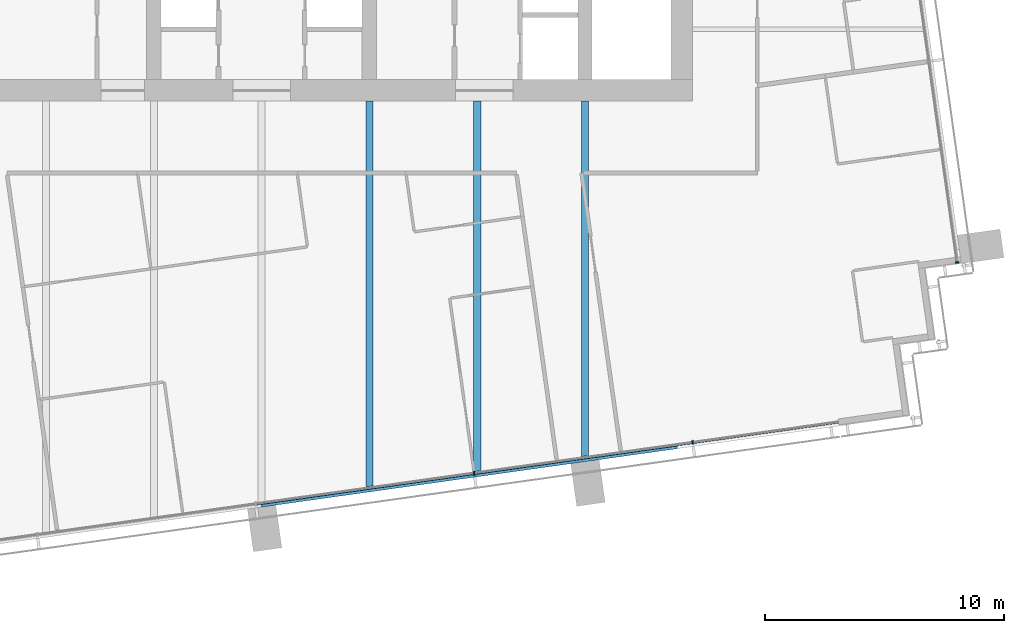
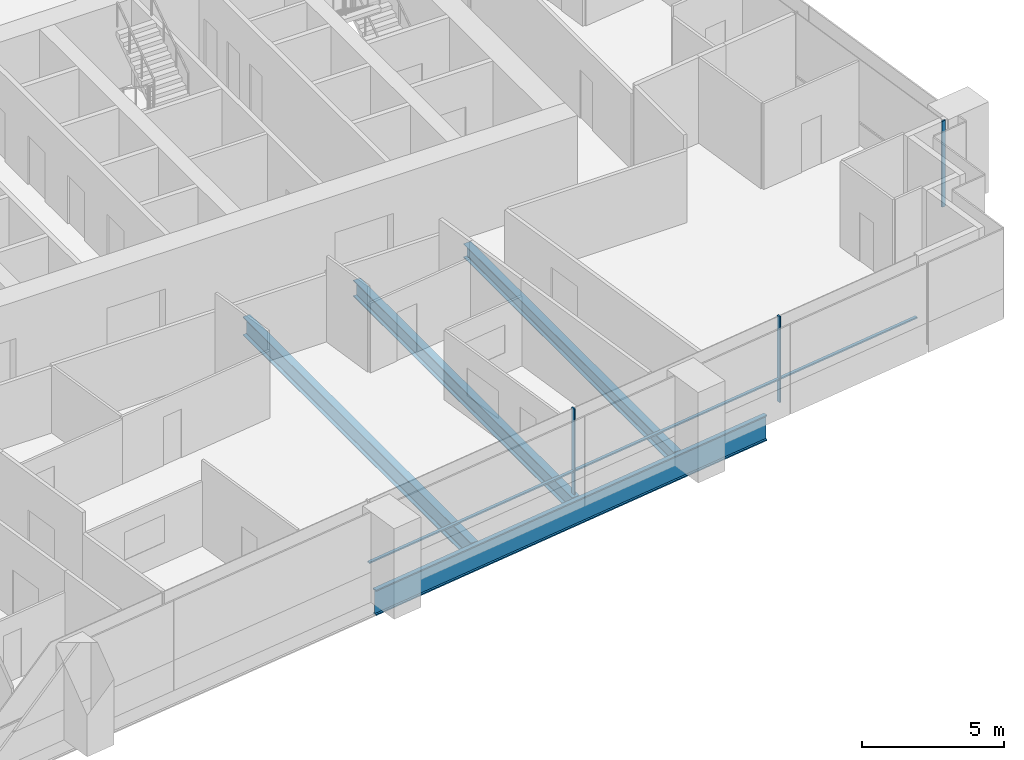
# One storey, part 4 of 18: 6 members, 4 beams, 2 elements without a shape of their own.
"""IFC4 building model written with IfcOpenShell, lengths in metres."""

from ifc_helpers import new_model, si_unit, direction, frame, origin, origin_2d, place, context, subcontext, project, spatial, rectangle, i_section, extrude, material, material_profile, profile_set, type_object, element, aggregate, save


model = new_model("IFC4")

# Units and contexts
model_context = context("Model", 3, precision=1e-05, world=origin(), true_north=direction((0.0, 1.0)))
body_context = subcontext(model_context, "Body", "Model", "MODEL_VIEW")
ifc_project = project(units=[si_unit("LENGTHUNIT", "METRE"), si_unit("AREAUNIT", "SQUARE_METRE"), si_unit("VOLUMEUNIT", "CUBIC_METRE"), si_unit("PLANEANGLEUNIT", "RADIAN"), si_unit("MASSUNIT", "GRAM", prefix="KILO")], contexts=[model_context])

# Site, building, storey
site_placement = place(None, origin())
site = spatial("IfcSite", under=ifc_project, at=site_placement, CompositionType="ELEMENT")
building_placement = place(site_placement, origin())
building = spatial("IfcBuilding", under=site, at=building_placement, Name="Rattan Terrace Tower", CompositionType="ELEMENT")
storey_placement = place(building_placement, frame((0.0, 0.0, 188.0)))
storey = spatial("IfcBuildingStorey", under=building, at=storey_placement, Name="L43", CompositionType="ELEMENT", Elevation=188.0)

# Curtain wall, member
ifc_material_1 = material(Name="Aluminium and glass", Category="aluminium")
curtain_wall_type = type_object("IfcCurtainWallType", Name="Facade Unitised Curtain Wall", PredefinedType="NOTDEFINED", material=ifc_material_1)
curtain_wall_1_placement = place(storey_placement, origin())
curtain_wall_1 = element("IfcCurtainWall", 1, at=curtain_wall_1_placement, inside=storey, type_object=curtain_wall_type, Name="Curtain wall L43-1", PredefinedType="NOTDEFINED")
ifc_material_2 = material(Name="Aluminium", Category="aluminium")
ifc_material_profile_1 = material_profile(ifc_material_2, rectangle(XDim=0.06005859375, YDim=0.159912109375, at=origin_2d()), Name="Aluminium 60x160")
ifc_profile_set_1 = profile_set([ifc_material_profile_1], Name="Aluminium")
member_type_1 = type_object("IfcMemberType", Name="Facade CW Mullion 60x160", PredefinedType="MULLION", material=ifc_profile_set_1)
member_1_placement = place(storey_placement, frame((29.037109375, -14.2333984375, 0.0), z_axis=(0.0, 0.0, 1.0), x_axis=(-0.139190856006, 0.99026557327, 0.0)))
member_1 = element("IfcMember", 2, at=member_1_placement, type_object=member_type_1, Name="Mullion cwl-L43-001.1", PredefinedType="MULLION", context=body_context, shape_type="SweptSolid", body=[
    extrude(rectangle(XDim=0.06005859375, YDim=0.159912109375, at=origin_2d()), origin(), (0.0, 0.0, 1.0), 3.699951171875),
])
aggregate(curtain_wall_1, [member_1])

# Curtain wall, members
curtain_wall_2_placement = place(storey_placement, origin())
curtain_wall_2 = element("IfcCurtainWall", 3, at=curtain_wall_2_placement, inside=storey, type_object=curtain_wall_type, Name="Curtain wall L43-4", PredefinedType="NOTDEFINED")
member_2_placement = place(storey_placement, frame((8.873291015625, -23.0302734375, 0.0), z_axis=(0.0, 0.0, 1.0), x_axis=(0.990269702686, 0.139161474347, 0.0)))
member_2 = element("IfcMember", 4, at=member_2_placement, type_object=member_type_1, Name="Mullion cwl-L43-004.4", PredefinedType="MULLION", context=body_context, shape_type="SweptSolid", body=[
    extrude(rectangle(XDim=0.06005859375, YDim=0.159912109375, at=origin_2d()), origin(), (0.0, 0.0, 1.0), 3.699951171875),
])
member_3_placement = place(storey_placement, frame((17.996826171875, -21.748291015625, 0.0), z_axis=(0.0, 0.0, 1.0), x_axis=(0.990269702686, 0.139161474347, 0.0)))
member_3 = element("IfcMember", 5, at=member_3_placement, type_object=member_type_1, Name="Mullion cwl-L43-004.5", PredefinedType="MULLION", context=body_context, shape_type="SweptSolid", body=[
    extrude(rectangle(XDim=0.06005859375, YDim=0.159912109375, at=origin_2d()), origin(), (0.0, 0.0, 1.0), 3.699951171875),
])
ifc_material_3 = material(Name="Aluminium", Category="aluminium")
ifc_material_profile_2 = material_profile(ifc_material_3, rectangle(XDim=0.1201171875, YDim=0.06005859375, at=origin_2d()), Name="Aluminium 120x60")
ifc_profile_set_2 = profile_set([ifc_material_profile_2], Name="Aluminium")
member_type_2 = type_object("IfcMemberType", Name="Facade CW Transom 120x60", PredefinedType="USERDEFINED", material=ifc_profile_set_2)
member_4_placement = place(storey_placement, frame((-0.22021484375, -24.308349609375, 1.0), z_axis=(0.990267035849, 0.139180450171, 0.0), x_axis=(-0.139180450171, 0.990267035849, 0.0)))
member_4 = element("IfcMember", 6, at=member_4_placement, type_object=member_type_2, Name="Transom cwl-L43-004.3", ObjectType="TRANSOM", PredefinedType="USERDEFINED", context=body_context, shape_type="SweptSolid", body=[
    extrude(rectangle(XDim=0.1201171875, YDim=0.06005859375, at=origin_2d()), origin(), (0.0, 0.0, 1.0), 9.153076171875),
])
member_5_placement = place(storey_placement, frame((8.903076171875, -23.026123046875, 1.0), z_axis=(0.990270711765, 0.139154293575, 0.0), x_axis=(-0.139154293575, 0.990270711765, 0.0)))
member_5 = element("IfcMember", 7, at=member_5_placement, type_object=member_type_2, Name="Transom cwl-L43-004.4", ObjectType="TRANSOM", PredefinedType="USERDEFINED", context=body_context, shape_type="SweptSolid", body=[
    extrude(rectangle(XDim=0.1201171875, YDim=0.06005859375, at=origin_2d()), origin(), (0.0, 0.0, 1.0), 9.153076171875),
])
member_6_placement = place(storey_placement, frame((18.0263671875, -21.744140625, 1.0), z_axis=(0.990267752185, 0.139175353357, 0.0), x_axis=(-0.139175353357, 0.990267752185, 0.0)))
member_6 = element("IfcMember", 8, at=member_6_placement, type_object=member_type_2, Name="Transom cwl-L43-004.5", ObjectType="TRANSOM", PredefinedType="USERDEFINED", context=body_context, shape_type="SweptSolid", body=[
    extrude(rectangle(XDim=0.1201171875, YDim=0.06005859375, at=origin_2d()), origin(), (0.0, 0.0, 1.0), 6.11865234375),
])
aggregate(curtain_wall_2, [member_2, member_3, member_4, member_5, member_6])

# Beams
ifc_material_4 = material(Name="Steel S460", Category="steel")
ifc_material_profile_3 = material_profile(ifc_material_4, i_section(OverallWidth=0.179931640625, OverallDepth=1.10009765625, WebThickness=0.01611328125, FlangeThickness=0.050048828125, at=origin_2d()), Name="PG 1100x180-16-50")
ifc_profile_set_3 = profile_set([ifc_material_profile_3], Name="Steel S460")
beam_type_1 = type_object("IfcBeamType", Name="Frame edge girder PG 1100x180-16-50", PredefinedType="SPANDREL", material=ifc_profile_set_3)
beam_1_placement = place(storey_placement, frame((17.347900390625, -21.9208984375, -0.75), z_axis=(-0.990273554652, -0.139134061096, 0.0), x_axis=(0.139134061096, -0.990273554652, 0.0)))
element("IfcBeam", 9, at=beam_1_placement, inside=storey, type_object=beam_type_1, Name="gdr-L43-002", PredefinedType="SPANDREL", context=body_context, shape_type="SweptSolid", body=[
    extrude(i_section(OverallWidth=0.179931640625, OverallDepth=1.10009765625, WebThickness=0.01611328125, FlangeThickness=0.050048828125, at=origin_2d()), origin(), (0.0, 0.0, 1.0), 17.53125),
])
ifc_material_5 = material(Name="Steel S355", Category="steel")
ifc_material_profile_4 = material_profile(ifc_material_5, i_section(OverallWidth=0.300048828125, OverallDepth=0.60009765625, WebThickness=0.015380859375, FlangeThickness=0.030029296875, FilletRadius=0.027099609375, at=origin_2d()), Name="HE 600 B")
ifc_profile_set_4 = profile_set([ifc_material_profile_4], Name="Steel S355")
beam_type_2 = type_object("IfcBeamType", Name="Frame floor beam HE 600 B", PredefinedType="JOIST", material=ifc_profile_set_4)
beam_2_placement = place(storey_placement, frame((13.5, -22.35009765625, -0.5), z_axis=(0.0, 1.0, 0.0), x_axis=(-1.0, 0.0, 0.0)))
element("IfcBeam", 10, at=beam_2_placement, inside=storey, type_object=beam_type_2, Name="bm-L43-009", PredefinedType="JOIST", context=body_context, shape_type="SweptSolid", body=[
    extrude(i_section(OverallWidth=0.300048828125, OverallDepth=0.60009765625, WebThickness=0.015380859375, FlangeThickness=0.030029296875, FilletRadius=0.027099609375, at=origin_2d()), origin(), (0.0, 0.0, 1.0), 14.85009765625),
])
ifc_material_6 = material(Name="Steel S355", Category="steel")
ifc_material_profile_5 = material_profile(ifc_material_6, i_section(OverallWidth=0.300048828125, OverallDepth=0.699951171875, WebThickness=0.01708984375, FlangeThickness=0.031982421875, FilletRadius=0.027099609375, at=origin_2d()), Name="HE 700 B")
ifc_profile_set_5 = profile_set([ifc_material_profile_5], Name="Steel S355")
beam_type_3 = type_object("IfcBeamType", Name="Frame floor beam HE 700 B", PredefinedType="JOIST", material=ifc_profile_set_5)
beam_3_placement = place(storey_placement, frame((9.0, -22.98193359375, -0.550048828125), z_axis=(0.0, 1.0, 0.0), x_axis=(-1.0, 0.0, 0.0)))
element("IfcBeam", 11, at=beam_3_placement, inside=storey, type_object=beam_type_3, Name="bm-L43-008", PredefinedType="JOIST", context=body_context, shape_type="SweptSolid", body=[
    extrude(i_section(OverallWidth=0.300048828125, OverallDepth=0.699951171875, WebThickness=0.01708984375, FlangeThickness=0.031982421875, FilletRadius=0.027099609375, at=origin_2d()), origin(), (0.0, 0.0, 1.0), 15.48193359375),
])
ifc_material_7 = material(Name="Steel S355", Category="steel")
ifc_material_profile_6 = material_profile(ifc_material_7, i_section(OverallWidth=0.300048828125, OverallDepth=0.800048828125, WebThickness=0.017578125, FlangeThickness=0.032958984375, FilletRadius=0.030029296875, at=origin_2d()), Name="HE 800 B")
ifc_profile_set_6 = profile_set([ifc_material_profile_6], Name="Steel S355")
beam_type_4 = type_object("IfcBeamType", Name="Frame floor beam HE 800 B", PredefinedType="JOIST", material=ifc_profile_set_6)
beam_4_placement = place(storey_placement, frame((4.5, -23.614013671875, -0.60009765625), z_axis=(0.0, 1.0, 0.0), x_axis=(-1.0, 0.0, 0.0)))
element("IfcBeam", 12, at=beam_4_placement, inside=storey, type_object=beam_type_4, Name="bm-L43-007", PredefinedType="JOIST", context=body_context, shape_type="SweptSolid", body=[
    extrude(i_section(OverallWidth=0.300048828125, OverallDepth=0.800048828125, WebThickness=0.017578125, FlangeThickness=0.032958984375, FilletRadius=0.030029296875, at=origin_2d()), origin(), (0.0, 0.0, 1.0), 16.114013671875),
])

save(model, "model.ifc")
